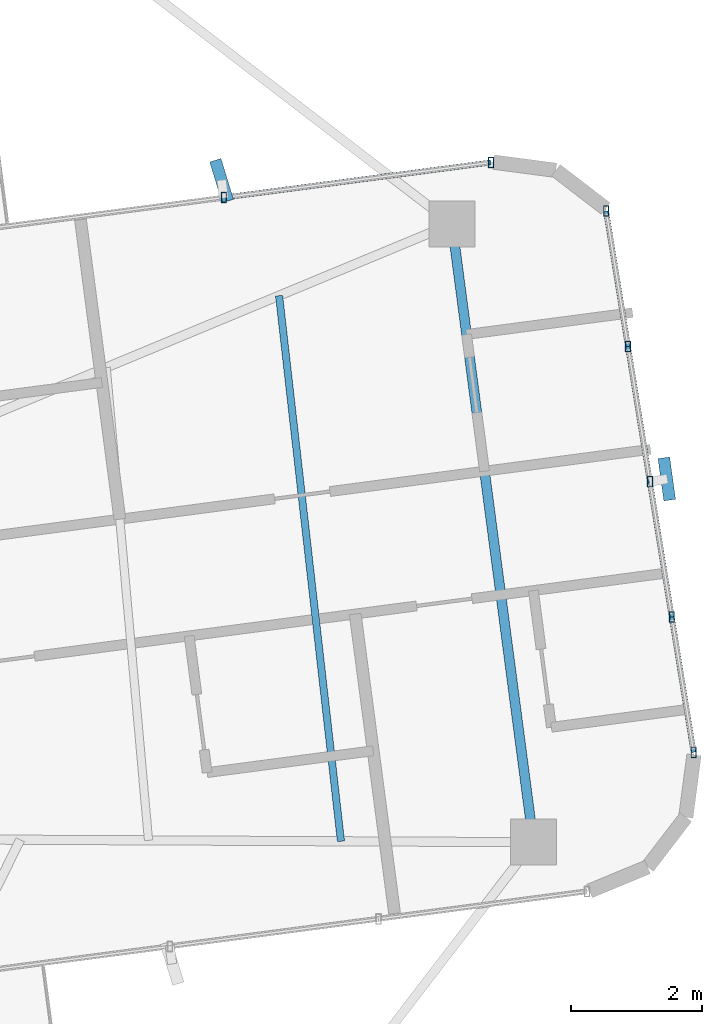
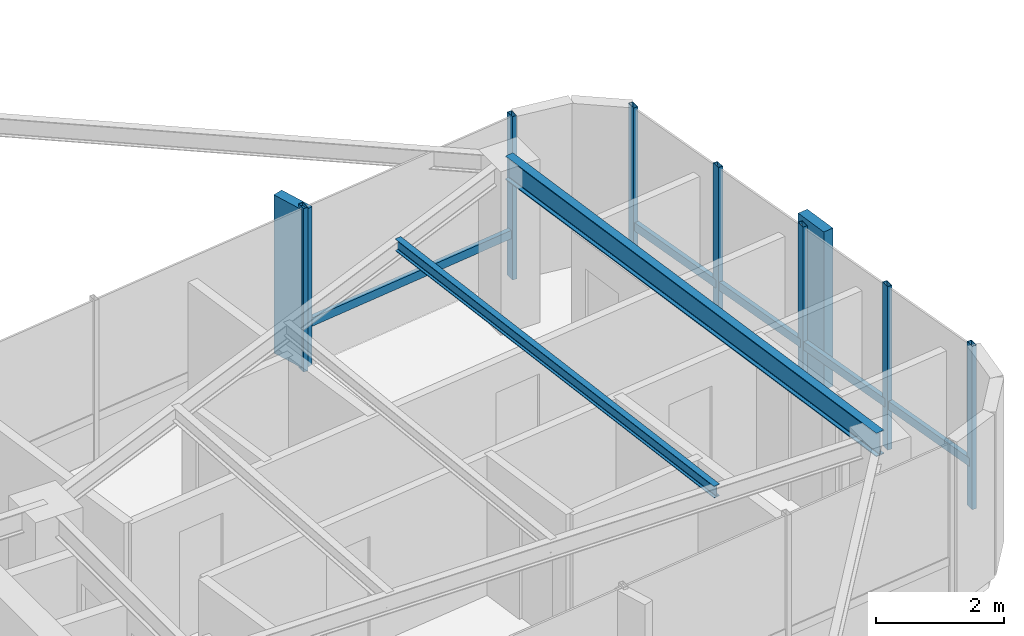
# One storey, part 13 of 22: 14 members, 2 beams, 2 elements without a shape of their own.
"""IFC4 building model written with IfcOpenShell, lengths in metres."""

import ifcopenshell
import ifcopenshell.guid

model = None  # the IFC model being written
_history = None  # IfcOwnerHistory: only IFC2X3 demands one
_inside = {}  # id of a spatial element -> (the spatial element, [elements in it])
_under = {}  # id of a project, library or spatial element -> (it, [spatial elements below it])
_declared = {}  # id of a project -> (the project, [libraries it declares])
_typed = {}  # id of a type object -> (the type object, [elements of that type])
_made_of = {}  # id of a material, layer set ... -> (it, [elements and type objects made of it])


def new_model(schema):
    """Start an empty IFC model of exactly this schema.

    Asked for "IFC4X3", IfcOpenShell would pick the latest addendum, in which some entities
    have other attributes; the version numbers below select the first issue.
    IFC2X3 requires an IfcOwnerHistory on every rooted entity: one is made here for all.
    """
    global model, _history
    if schema == "IFC4X3":
        model = ifcopenshell.file(schema_version=(4, 3, 0, 0))
    else:
        model = ifcopenshell.file(schema=schema)
    _inside.clear()
    _under.clear()
    _declared.clear()
    _typed.clear()
    _made_of.clear()
    _history = None
    if model.schema == "IFC2X3":
        org = make("IfcOrganization", Name="unknown")
        user = make(
            "IfcPersonAndOrganization",
            ThePerson=make("IfcPerson", FamilyName="unknown"),
            TheOrganization=org,
        )
        app = make(
            "IfcApplication",
            ApplicationDeveloper=org,
            Version="unknown",
            ApplicationFullName="unknown",
            ApplicationIdentifier="unknown",
        )
        _history = make(
            "IfcOwnerHistory",
            OwningUser=user,
            OwningApplication=app,
            ChangeAction="ADDED",
            CreationDate=0,
        )
    return model


def make(cls, **values):
    """One entity of the class cls with the attributes given. An attribute that is None is left unset."""
    return model.create_entity(
        cls, **{name: value for name, value in values.items() if value is not None}
    )


def rooted(cls, **values):
    """An entity with a GlobalId (a new one), such as an element, a storey or a relation."""
    return make(cls, GlobalId=ifcopenshell.guid.new(), OwnerHistory=_history, **values)


def si_unit(unit_type, name, prefix=None):
    """IfcSIUnit, for example si_unit("LENGTHUNIT", "METRE", prefix="MILLI")."""
    return make("IfcSIUnit", UnitType=unit_type, Prefix=prefix, Name=name)


def assignment(units):
    """IfcUnitAssignment: the units of a project."""
    return None if units is None else make("IfcUnitAssignment", Units=units)


def point(xyz):
    """IfcCartesianPoint."""
    return None if xyz is None else make("IfcCartesianPoint", Coordinates=xyz)


def direction(xyz):
    """IfcDirection."""
    return None if xyz is None else make("IfcDirection", DirectionRatios=xyz)


def frame(location, z_axis=None, x_axis=None):
    """IfcAxis2Placement3D, a coordinate frame: its origin and axes. An axis left out is left unset."""
    return make(
        "IfcAxis2Placement3D",
        Location=point(location),
        Axis=direction(z_axis),
        RefDirection=direction(x_axis),
    )


def frame_2d(location, x_axis=None):
    """IfcAxis2Placement2D, a coordinate frame in the plane: its origin and x axis."""
    return make(
        "IfcAxis2Placement2D", Location=point(location), RefDirection=direction(x_axis)
    )


def origin():
    """The frame at (0, 0, 0) with its axes left unset."""
    return frame((0.0, 0.0, 0.0))


def origin_2d():
    """The frame at (0, 0) in the plane with its x axis left unset."""
    return frame_2d((0.0, 0.0))


def place(relative_to, where):
    """IfcLocalPlacement: puts the frame where relative to a parent placement (None: the world)."""
    return make(
        "IfcLocalPlacement", PlacementRelTo=relative_to, RelativePlacement=where
    )


def context(
    kind, dimensions, precision=None, world=None, true_north=None, identifier=None
):
    """IfcGeometricRepresentationContext, for example the 3D "Model" context."""
    return make(
        "IfcGeometricRepresentationContext",
        ContextIdentifier=identifier,
        ContextType=kind,
        CoordinateSpaceDimension=dimensions,
        Precision=precision,
        WorldCoordinateSystem=world,
        TrueNorth=true_north,
    )


def subcontext(parent, identifier, kind, view, scale=None):
    """IfcGeometricRepresentationSubContext, for example "Body" below "Model"."""
    return make(
        "IfcGeometricRepresentationSubContext",
        ContextIdentifier=identifier,
        ContextType=kind,
        ParentContext=parent,
        TargetScale=scale,
        TargetView=view,
    )


def project(units=None, contexts=None):
    """IfcProject with its units and contexts."""
    return rooted(
        "IfcProject",
        Name="project",
        RepresentationContexts=contexts,
        UnitsInContext=assignment(units),
    )


def spatial(cls, under=None, at=None, **own):
    """A site, building, storey or space (cls), placed at a placement, below another one or the project."""
    s = rooted(cls, ObjectPlacement=at, **own)
    if under is not None:
        _under.setdefault(under.id(), (under, []))[1].append(s)
    return s


def profile(cls, at=None, kind="AREA", **sizes):
    """A parametric profile (cls). Its sizes go by their IFC names, for example OverallWidth=200.0."""
    return make(cls, ProfileType=kind, Position=at, **sizes)


def rectangle(**sizes):
    """IfcRectangleProfileDef."""
    return profile("IfcRectangleProfileDef", **sizes)


def hollow_rectangle(**sizes):
    """IfcRectangleHollowProfileDef."""
    return profile("IfcRectangleHollowProfileDef", **sizes)


def i_section(**sizes):
    """IfcIShapeProfileDef."""
    return profile("IfcIShapeProfileDef", **sizes)


def extrude(swept, where, along, depth):
    """IfcExtrudedAreaSolid: the profile swept, set in the frame where, extruded along a direction by depth."""
    return make(
        "IfcExtrudedAreaSolid",
        SweptArea=swept,
        Position=where,
        ExtrudedDirection=direction(along),
        Depth=depth,
    )


def shape(context_of_items, identifier, shape_type, items):
    """IfcShapeRepresentation: the items that make up one representation, for example the "Body"."""
    return make(
        "IfcShapeRepresentation",
        ContextOfItems=context_of_items,
        RepresentationIdentifier=identifier,
        RepresentationType=shape_type,
        Items=items,
    )


def source(mapping_origin, context_of_items, identifier, shape_type, items):
    """IfcRepresentationMap: a shape defined once, which mapped items show again and again."""
    return make(
        "IfcRepresentationMap",
        MappingOrigin=mapping_origin,
        MappedRepresentation=shape(context_of_items, identifier, shape_type, items),
    )


def transform(
    local_origin,
    x_axis=None,
    y_axis=None,
    z_axis=None,
    scale=None,
    scale2=None,
    scale3=None,
    uniform=True,
):
    """IfcCartesianTransformationOperator3D, or its non-uniform kind. x_axis, y_axis, z_axis: its Axis1, 2, 3."""
    if uniform:
        return make(
            "IfcCartesianTransformationOperator3D",
            Axis1=direction(x_axis),
            Axis2=direction(y_axis),
            LocalOrigin=point(local_origin),
            Scale=scale,
            Axis3=direction(z_axis),
        )
    return make(
        "IfcCartesianTransformationOperator3DnonUniform",
        Axis1=direction(x_axis),
        Axis2=direction(y_axis),
        LocalOrigin=point(local_origin),
        Scale=scale,
        Axis3=direction(z_axis),
        Scale2=scale2,
        Scale3=scale3,
    )


def mapped(mapping_source, mapping_target):
    """IfcMappedItem: shows the shape of a source again, moved by a transform."""
    return make(
        "IfcMappedItem", MappingSource=mapping_source, MappingTarget=mapping_target
    )


def material(Name=None, Category=None):
    """IfcMaterial."""
    return make("IfcMaterial", Name=Name, Category=Category)


def material_profile(
    of_material, cross_section, Name=None, Category=None, Priority=None
):
    """IfcMaterialProfile: a cross section and its material."""
    return make(
        "IfcMaterialProfile",
        Name=Name,
        Material=of_material,
        Profile=cross_section,
        Priority=Priority,
        Category=Category,
    )


def profile_set(profiles, Name=None, composite=None):
    """IfcMaterialProfileSet."""
    return make(
        "IfcMaterialProfileSet",
        Name=Name,
        MaterialProfiles=profiles,
        CompositeProfile=composite,
    )


def made_of(thing, what):
    """Note that an element or type object is made of a material, layer set ...; save() writes the relation."""
    if what is not None:
        _made_of.setdefault(what.id(), (what, []))[1].append(thing)
    return thing


def type_object(cls, material=None, **own):
    """A type object (cls), such as IfcWallType, which elements share."""
    return made_of(rooted(cls, **own), material)


def element(
    cls,
    number,
    at=None,
    inside=None,
    cuts=None,
    type_object=None,
    material=None,
    context=None,
    identifier="Body",
    shape_type=None,
    held_by="IfcProductDefinitionShape",
    body=None,
    shapes=None,
    **own,
):
    """One element of the class cls, such as IfcWall. Its Tag is "e" and its number.

    at: its placement. inside: the storey or other place that contains it. cuts: it is an
    opening in that element (IfcRelVoidsElement). A single representation is given by context,
    identifier, shape_type and body (its items); several are given by shapes. held_by: the class
    of the entity that holds the representations. save() writes the other relations.
    """
    e = rooted(cls, Tag="e%d" % number, ObjectPlacement=at, **own)
    if body is not None:
        shapes = [shape(context, identifier, shape_type, body)]
    if shapes is not None:
        e.Representation = make(held_by, Representations=shapes)
    if inside is not None:
        _inside.setdefault(inside.id(), (inside, []))[1].append(e)
    if cuts is not None:
        rooted(
            "IfcRelVoidsElement", RelatingBuildingElement=cuts, RelatedOpeningElement=e
        )
    if type_object is not None:
        _typed.setdefault(type_object.id(), (type_object, []))[1].append(e)
    return made_of(e, material)


def aggregate(whole, parts):
    """IfcRelAggregates: a whole, such as a stair, and the parts it consists of."""
    return rooted("IfcRelAggregates", RelatingObject=whole, RelatedObjects=parts)


def save(model, path):
    """Write the relations noted so far, then the file.

    IfcRelAggregates (storeys below a building ...), IfcRelContainedInSpatialStructure (elements
    in a storey), IfcRelDefinesByType, IfcRelAssociatesMaterial and IfcRelDeclares: one each for
    every whole, place, type object, material and project.
    """
    for whole, parts in _under.values():
        aggregate(whole, parts)
    for where, things in _inside.values():
        rooted(
            "IfcRelContainedInSpatialStructure",
            RelatedElements=things,
            RelatingStructure=where,
        )
    for kind, things in _typed.values():
        rooted("IfcRelDefinesByType", RelatedObjects=things, RelatingType=kind)
    for what, things in _made_of.values():
        rooted("IfcRelAssociatesMaterial", RelatedObjects=things, RelatingMaterial=what)
    for by, libraries in _declared.values():
        rooted("IfcRelDeclares", RelatingContext=by, RelatedDefinitions=libraries)
    model.write(path)


model = new_model("IFC4")

# Units and contexts
model_context = context("Model", 3, precision=1e-05, world=origin(), true_north=direction((0.0, 1.0)))
body_context = subcontext(model_context, "Body", "Model", "MODEL_VIEW")
ifc_project = project(units=[si_unit("LENGTHUNIT", "METRE"), si_unit("AREAUNIT", "SQUARE_METRE"), si_unit("VOLUMEUNIT", "CUBIC_METRE"), si_unit("PLANEANGLEUNIT", "RADIAN"), si_unit("MASSUNIT", "GRAM", prefix="KILO")], contexts=[model_context])

# Site, building, storey
site_placement = place(None, origin())
site = spatial("IfcSite", under=ifc_project, at=site_placement, CompositionType="ELEMENT")
building_placement = place(site_placement, origin())
building = spatial("IfcBuilding", under=site, at=building_placement, Name="Sahyath Konkavel Grand Hotel", CompositionType="ELEMENT")
storey_placement = place(building_placement, frame((0.0, 0.0, 272.449951171875)))
storey = spatial("IfcBuildingStorey", under=building, at=storey_placement, Name="L76", CompositionType="ELEMENT", Elevation=272.449951171875)

# Beams
ifc_material_1 = material(Name="Steel E350", Category="steel")
ifc_material_profile_1 = material_profile(ifc_material_1, i_section(OverallWidth=0.14990234375, OverallDepth=0.449951171875, WebThickness=0.009521484375, FlangeThickness=0.017333984375, FilletRadius=0.014892578125, at=origin_2d()), Name="ISMB 450")
ifc_profile_set_1 = profile_set([ifc_material_profile_1], Name="Steel E350")
beam_type_1 = type_object("IfcBeamType", Name="BM-ISMB450", PredefinedType="BEAM", material=ifc_profile_set_1)
shared_shape_1 = source(origin(), body_context, "Body", "SweptSolid", [
    extrude(i_section(OverallWidth=0.14990234375, OverallDepth=0.449951171875, WebThickness=0.009521484375, FlangeThickness=0.017333984375, FilletRadius=0.014892578125, at=origin_2d()), origin(), (0.0, 0.0, 1.0), 9.5),
])
beam_1_placement = place(storey_placement, frame((17.71240234375, -2.458984375, 2.885009765625), z_axis=(-0.130525643939, 0.991444933556, 0.0), x_axis=(-0.991444933556, -0.130525643939, 0.0)))
element("IfcBeam", 1, at=beam_1_placement, inside=storey, type_object=beam_type_1, Name="L76 Wing Tip Edge Beam E", PredefinedType="BEAM", context=body_context, shape_type="MappedRepresentation", body=[
    mapped(shared_shape_1, transform((0.0, 0.0, 0.0), scale=1.0)),
])
ifc_material_profile_2 = material_profile(ifc_material_1, i_section(OverallWidth=0.110107421875, OverallDepth=0.22509765625, WebThickness=0.006591796875, FlangeThickness=0.01171875, FilletRadius=0.011962890625, at=origin_2d()), Name="ISMB 225")
ifc_profile_set_2 = profile_set([ifc_material_profile_2], Name="Steel E350")
beam_type_2 = type_object("IfcBeamType", Name="BM-ISMB225", PredefinedType="BEAM", material=ifc_profile_set_2)
shared_shape_2 = source(origin(), body_context, "Body", "SweptSolid", [
    extrude(i_section(OverallWidth=0.110107421875, OverallDepth=0.22509765625, WebThickness=0.006591796875, FlangeThickness=0.01171875, FilletRadius=0.011962890625, at=origin_2d()), origin(), (0.0, 0.0, 1.0), 8.36328125),
])
beam_2_placement = place(storey_placement, frame((14.781494140625, -2.44482421875, 2.99755859375), z_axis=(-0.112680437677, 0.99363127918, 0.0), x_axis=(-0.99363127918, -0.112680437677, 0.0)))
element("IfcBeam", 2, at=beam_2_placement, inside=storey, type_object=beam_type_2, Name="L76 Secondary Floor Beam E-3", PredefinedType="BEAM", context=body_context, shape_type="MappedRepresentation", body=[
    mapped(shared_shape_2, transform((0.0, 0.0, 0.0), scale=1.0)),
])

# Curtain wall, member
ifc_material_2 = material(Name="Anodised Bronze Aluminium & Low-E Glazing", Category="aluminium")
curtain_wall_type = type_object("IfcCurtainWallType", Name="CW-ZONE4", PredefinedType="NOTDEFINED", material=ifc_material_2)
curtain_wall_1_placement = place(storey_placement, origin())
curtain_wall_1 = element("IfcCurtainWall", 3, at=curtain_wall_1_placement, inside=storey, type_object=curtain_wall_type, Name="L76 Unitised Curtain Wall F4", PredefinedType="NOTDEFINED")
ifc_material_3 = material(Name="Warm Buff Sandstone Cladding on Concrete C50/60", Category="masonry")
ifc_material_profile_3 = material_profile(ifc_material_3, rectangle(XDim=0.179931640625, YDim=0.64990234375, at=origin_2d()), Name="FIN 180x650")
ifc_profile_set_3 = profile_set([ifc_material_profile_3], Name="Warm Buff Sandstone Cladding on Concrete C50/60")
member_type_1 = type_object("IfcMemberType", Name="FIN-SANDSTONE-650", PredefinedType="MULLION", material=ifc_profile_set_3)
shared_shape_3 = source(origin(), body_context, "Body", "SweptSolid", [
    extrude(rectangle(XDim=0.179931640625, YDim=0.64990234375, at=origin_2d()), origin(), (0.0, 0.0, 1.0), 3.010009765625),
])
member_1_placement = place(storey_placement, frame((19.74365234375, 3.073486328125, 0.050048828125), z_axis=(0.0, 0.0, 1.0), x_axis=(0.990461425697, 0.137790290685, 0.0)))
member_1 = element("IfcMember", 4, at=member_1_placement, type_object=member_type_1, Name="L76 Sandstone Vertical Solar Fin FIN F4-2", PredefinedType="MULLION", context=body_context, shape_type="MappedRepresentation", body=[
    mapped(shared_shape_3, transform((0.0, 0.0, 0.0), scale=1.0)),
])

curtain_wall_2_placement = place(storey_placement, origin())
curtain_wall_2 = element("IfcCurtainWall", 5, at=curtain_wall_2_placement, inside=storey, type_object=curtain_wall_type, Name="L76 Unitised Curtain Wall F7", PredefinedType="NOTDEFINED")
member_2_placement = place(storey_placement, frame((12.96337890625, 7.6171875, 0.050048828125), z_axis=(0.0, 0.0, 1.0), x_axis=(0.956151539415, 0.292872384621, 0.0)))
member_2 = element("IfcMember", 6, at=member_2_placement, type_object=member_type_1, Name="L76 Sandstone Vertical Solar Fin FIN F7-1", PredefinedType="MULLION", context=body_context, shape_type="MappedRepresentation", body=[
    mapped(shared_shape_3, transform((0.0, 0.0, 0.0), scale=1.0)),
])

# Member
ifc_material_4 = material(Name="Anodised Bronze Aluminium", Category="aluminium")
ifc_material_profile_4 = material_profile(ifc_material_4, hollow_rectangle(XDim=0.080078125, YDim=0.159912109375, WallThickness=0.006103515625, at=origin_2d()), Name="RHS 160x80x6")
ifc_profile_set_4 = profile_set([ifc_material_profile_4], Name="Anodised Bronze Aluminium")
member_type_2 = type_object("IfcMemberType", Name="CW-MUL-160", PredefinedType="MULLION", material=ifc_profile_set_4)
shared_shape_4 = source(origin(), body_context, "Body", "SweptSolid", [
    extrude(hollow_rectangle(XDim=0.080078125, YDim=0.159912109375, WallThickness=0.006103515625, at=origin_2d()), origin(), (0.0, 0.0, 1.0), 3.110107421875),
])
member_3_placement = place(storey_placement, frame((20.1533203125, -1.0888671875, 0.0), z_axis=(0.0, 0.0, 1.0), x_axis=(1.0, 0.0, 0.0)))
member_3 = element("IfcMember", 7, at=member_3_placement, type_object=member_type_2, Name="L76 Curtain Wall Mullion F4-0", PredefinedType="MULLION", context=body_context, shape_type="MappedRepresentation", body=[
    mapped(shared_shape_4, transform((0.0, 0.0, 0.0), scale=1.0)),
])

member_4_placement = place(storey_placement, frame((19.8203125, 0.9716796875, 0.0), z_axis=(0.0, 0.0, 1.0), x_axis=(1.0, 0.0, 0.0)))
member_4 = element("IfcMember", 8, at=member_4_placement, type_object=member_type_2, Name="L76 Curtain Wall Mullion F4-1", PredefinedType="MULLION", context=body_context, shape_type="MappedRepresentation", body=[
    mapped(shared_shape_4, transform((0.0, 0.0, 0.0), scale=1.0)),
])

member_5_placement = place(storey_placement, frame((19.487060546875, 3.031982421875, 0.0), z_axis=(0.0, 0.0, 1.0), x_axis=(1.0, 0.0, 0.0)))
member_5 = element("IfcMember", 9, at=member_5_placement, type_object=member_type_2, Name="L76 Curtain Wall Mullion F4-2", PredefinedType="MULLION", context=body_context, shape_type="MappedRepresentation", body=[
    mapped(shared_shape_4, transform((0.0, 0.0, 0.0), scale=1.0)),
])

member_6_placement = place(storey_placement, frame((19.15380859375, 5.09228515625, 0.0), z_axis=(0.0, 0.0, 1.0), x_axis=(1.0, 0.0, 0.0)))
member_6 = element("IfcMember", 10, at=member_6_placement, type_object=member_type_2, Name="L76 Curtain Wall Mullion F4-3", PredefinedType="MULLION", context=body_context, shape_type="MappedRepresentation", body=[
    mapped(shared_shape_4, transform((0.0, 0.0, 0.0), scale=1.0)),
])

member_7_placement = place(storey_placement, frame((18.82080078125, 7.15283203125, 0.0), z_axis=(0.0, 0.0, 1.0), x_axis=(1.0, 0.0, 0.0)))
member_7 = element("IfcMember", 11, at=member_7_placement, type_object=member_type_2, Name="L76 Curtain Wall Mullion F4-4", PredefinedType="MULLION", context=body_context, shape_type="MappedRepresentation", body=[
    mapped(shared_shape_4, transform((0.0, 0.0, 0.0), scale=1.0)),
])

member_8_placement = place(storey_placement, frame((17.0654296875, 7.89501953125, 0.0), z_axis=(0.0, 0.0, 1.0), x_axis=(1.0, 0.0, 0.0)))
member_8 = element("IfcMember", 12, at=member_8_placement, type_object=member_type_2, Name="L76 Curtain Wall Mullion F7-0", PredefinedType="MULLION", context=body_context, shape_type="MappedRepresentation", body=[
    mapped(shared_shape_4, transform((0.0, 0.0, 0.0), scale=1.0)),
])

member_9_placement = place(storey_placement, frame((12.997314453125, 7.359619140625, 0.0), z_axis=(0.0, 0.0, 1.0), x_axis=(1.0, 0.0, 0.0)))
member_9 = element("IfcMember", 13, at=member_9_placement, type_object=member_type_2, Name="L76 Curtain Wall Mullion F7-1", PredefinedType="MULLION", context=body_context, shape_type="MappedRepresentation", body=[
    mapped(shared_shape_4, transform((0.0, 0.0, 0.0), scale=1.0)),
])

ifc_material_profile_5 = material_profile(ifc_material_4, hollow_rectangle(XDim=0.080078125, YDim=0.159912109375, WallThickness=0.006103515625, at=origin_2d()), Name="RHS 160x80x6")
ifc_profile_set_5 = profile_set([ifc_material_profile_5], Name="Anodised Bronze Aluminium")
member_type_3 = type_object("IfcMemberType", Name="CW-TRN-160", PredefinedType="USERDEFINED", material=ifc_profile_set_5)
shared_shape_5 = source(origin(), body_context, "Body", "SweptSolid", [
    extrude(hollow_rectangle(XDim=0.080078125, YDim=0.159912109375, WallThickness=0.006103515625, at=origin_2d()), origin(), (0.0, 0.0, 1.0), 2.08740234375),
])
member_10_placement = place(storey_placement, frame((20.1533203125, -1.0888671875, 0.85009765625), z_axis=(-0.159541334591, 0.98719124923, 0.0), x_axis=(-0.98719124923, -0.159541334591, 0.0)))
member_10 = element("IfcMember", 14, at=member_10_placement, type_object=member_type_3, Name="L76 Curtain Wall Transom F4-0-spandrel", ObjectType="TRANSOM", PredefinedType="USERDEFINED", context=body_context, shape_type="MappedRepresentation", body=[
    mapped(shared_shape_5, transform((0.0, 0.0, 0.0), scale=1.0)),
])

member_11_placement = place(storey_placement, frame((19.15380859375, 5.09228515625, 0.85009765625), z_axis=(-0.159541334591, 0.98719124923, 0.0), x_axis=(-0.98719124923, -0.159541334591, 0.0)))
member_11 = element("IfcMember", 15, at=member_11_placement, type_object=member_type_3, Name="L76 Curtain Wall Transom F4-3-spandrel", ObjectType="TRANSOM", PredefinedType="USERDEFINED", context=body_context, shape_type="MappedRepresentation", body=[
    mapped(shared_shape_5, transform((0.0, 0.0, 0.0), scale=1.0)),
])

shared_shape_6 = source(origin(), body_context, "Body", "SweptSolid", [
    extrude(hollow_rectangle(XDim=0.080078125, YDim=0.159912109375, WallThickness=0.006103515625, at=origin_2d()), origin(), (0.0, 0.0, 1.0), 2.087158203125),
])
member_12_placement = place(storey_placement, frame((19.8203125, 0.9716796875, 0.85009765625), z_axis=(-0.159673756436, 0.98716983924, 0.0), x_axis=(-0.98716983924, -0.159673756436, 0.0)))
member_12 = element("IfcMember", 16, at=member_12_placement, type_object=member_type_3, Name="L76 Curtain Wall Transom F4-1-spandrel", ObjectType="TRANSOM", PredefinedType="USERDEFINED", context=body_context, shape_type="MappedRepresentation", body=[
    mapped(shared_shape_6, transform((0.0, 0.0, 0.0), scale=1.0)),
])

member_13_placement = place(storey_placement, frame((19.487060546875, 3.031982421875, 0.85009765625), z_axis=(-0.159673756436, 0.98716983924, 0.0), x_axis=(-0.98716983924, -0.159673756436, 0.0)))
member_13 = element("IfcMember", 17, at=member_13_placement, type_object=member_type_3, Name="L76 Curtain Wall Transom F4-2-spandrel", ObjectType="TRANSOM", PredefinedType="USERDEFINED", context=body_context, shape_type="MappedRepresentation", body=[
    mapped(shared_shape_6, transform((0.0, 0.0, 0.0), scale=1.0)),
])

aggregate(curtain_wall_1, [member_3, member_4, member_5, member_1, member_6, member_7, member_10, member_12, member_13, member_11])

shared_shape_7 = source(origin(), body_context, "Body", "SweptSolid", [
    extrude(hollow_rectangle(XDim=0.080078125, YDim=0.159912109375, WallThickness=0.006103515625, at=origin_2d()), origin(), (0.0, 0.0, 1.0), 4.103271484375),
])
member_14_placement = place(storey_placement, frame((17.0654296875, 7.89501953125, 0.85009765625), z_axis=(-0.991450447248, -0.130483756275, 0.0), x_axis=(0.130483756275, -0.991450447248, 0.0)))
member_14 = element("IfcMember", 18, at=member_14_placement, type_object=member_type_3, Name="L76 Curtain Wall Transom F7-0-spandrel", ObjectType="TRANSOM", PredefinedType="USERDEFINED", context=body_context, shape_type="MappedRepresentation", body=[
    mapped(shared_shape_7, transform((0.0, 0.0, 0.0), scale=1.0)),
])

aggregate(curtain_wall_2, [member_8, member_9, member_2, member_14])

save(model, "model.ifc")
